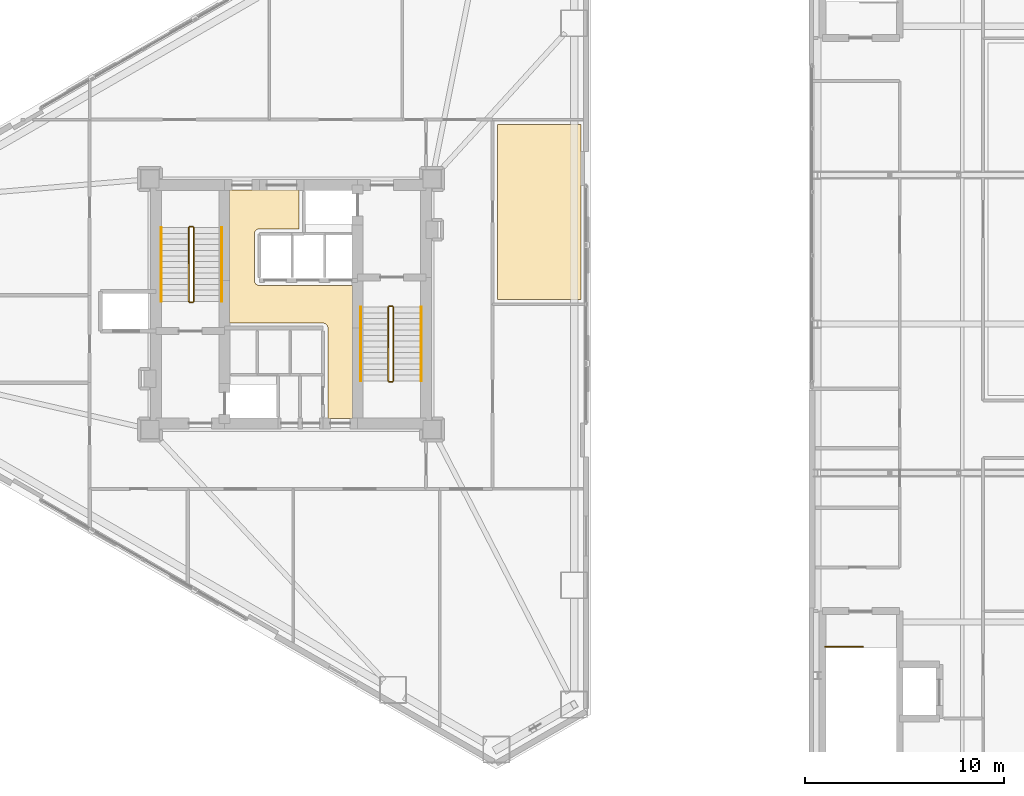
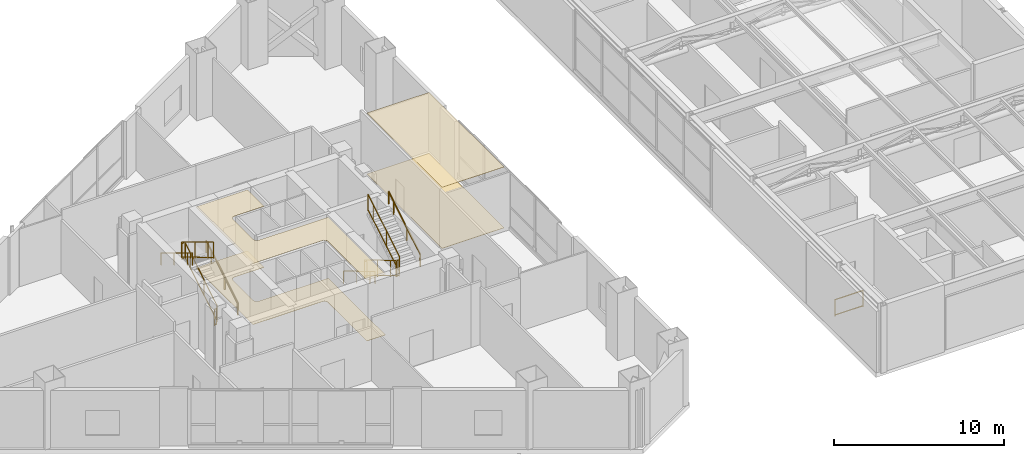
# One storey, part 26 of 27: 13 railings, 4 coverings.
"""IFC4 building model written with IfcOpenShell, lengths in metres."""

import ifcopenshell
import ifcopenshell.guid

model = None  # the IFC model being written
_history = None  # IfcOwnerHistory: only IFC2X3 demands one
_inside = {}  # id of a spatial element -> (the spatial element, [elements in it])
_under = {}  # id of a project, library or spatial element -> (it, [spatial elements below it])
_declared = {}  # id of a project -> (the project, [libraries it declares])
_typed = {}  # id of a type object -> (the type object, [elements of that type])
_made_of = {}  # id of a material, layer set ... -> (it, [elements and type objects made of it])


def new_model(schema):
    """Start an empty IFC model of exactly this schema.

    Asked for "IFC4X3", IfcOpenShell would pick the latest addendum, in which some entities
    have other attributes; the version numbers below select the first issue.
    IFC2X3 requires an IfcOwnerHistory on every rooted entity: one is made here for all.
    """
    global model, _history
    if schema == "IFC4X3":
        model = ifcopenshell.file(schema_version=(4, 3, 0, 0))
    else:
        model = ifcopenshell.file(schema=schema)
    _inside.clear()
    _under.clear()
    _declared.clear()
    _typed.clear()
    _made_of.clear()
    _history = None
    if model.schema == "IFC2X3":
        org = make("IfcOrganization", Name="unknown")
        user = make(
            "IfcPersonAndOrganization",
            ThePerson=make("IfcPerson", FamilyName="unknown"),
            TheOrganization=org,
        )
        app = make(
            "IfcApplication",
            ApplicationDeveloper=org,
            Version="unknown",
            ApplicationFullName="unknown",
            ApplicationIdentifier="unknown",
        )
        _history = make(
            "IfcOwnerHistory",
            OwningUser=user,
            OwningApplication=app,
            ChangeAction="ADDED",
            CreationDate=0,
        )
    return model


def make(cls, **values):
    """One entity of the class cls with the attributes given. An attribute that is None is left unset."""
    return model.create_entity(
        cls, **{name: value for name, value in values.items() if value is not None}
    )


def rooted(cls, **values):
    """An entity with a GlobalId (a new one), such as an element, a storey or a relation."""
    return make(cls, GlobalId=ifcopenshell.guid.new(), OwnerHistory=_history, **values)


def si_unit(unit_type, name, prefix=None):
    """IfcSIUnit, for example si_unit("LENGTHUNIT", "METRE", prefix="MILLI")."""
    return make("IfcSIUnit", UnitType=unit_type, Prefix=prefix, Name=name)


def assignment(units):
    """IfcUnitAssignment: the units of a project."""
    return None if units is None else make("IfcUnitAssignment", Units=units)


def point(xyz):
    """IfcCartesianPoint."""
    return None if xyz is None else make("IfcCartesianPoint", Coordinates=xyz)


def direction(xyz):
    """IfcDirection."""
    return None if xyz is None else make("IfcDirection", DirectionRatios=xyz)


def frame(location, z_axis=None, x_axis=None):
    """IfcAxis2Placement3D, a coordinate frame: its origin and axes. An axis left out is left unset."""
    return make(
        "IfcAxis2Placement3D",
        Location=point(location),
        Axis=direction(z_axis),
        RefDirection=direction(x_axis),
    )


def frame_2d(location, x_axis=None):
    """IfcAxis2Placement2D, a coordinate frame in the plane: its origin and x axis."""
    return make(
        "IfcAxis2Placement2D", Location=point(location), RefDirection=direction(x_axis)
    )


def origin():
    """The frame at (0, 0, 0) with its axes left unset."""
    return frame((0.0, 0.0, 0.0))


def origin_2d():
    """The frame at (0, 0) in the plane with its x axis left unset."""
    return frame_2d((0.0, 0.0))


def place(relative_to, where):
    """IfcLocalPlacement: puts the frame where relative to a parent placement (None: the world)."""
    return make(
        "IfcLocalPlacement", PlacementRelTo=relative_to, RelativePlacement=where
    )


def context(
    kind, dimensions, precision=None, world=None, true_north=None, identifier=None
):
    """IfcGeometricRepresentationContext, for example the 3D "Model" context."""
    return make(
        "IfcGeometricRepresentationContext",
        ContextIdentifier=identifier,
        ContextType=kind,
        CoordinateSpaceDimension=dimensions,
        Precision=precision,
        WorldCoordinateSystem=world,
        TrueNorth=true_north,
    )


def subcontext(parent, identifier, kind, view, scale=None):
    """IfcGeometricRepresentationSubContext, for example "Body" below "Model"."""
    return make(
        "IfcGeometricRepresentationSubContext",
        ContextIdentifier=identifier,
        ContextType=kind,
        ParentContext=parent,
        TargetScale=scale,
        TargetView=view,
    )


def project(units=None, contexts=None):
    """IfcProject with its units and contexts."""
    return rooted(
        "IfcProject",
        Name="project",
        RepresentationContexts=contexts,
        UnitsInContext=assignment(units),
    )


def spatial(cls, under=None, at=None, **own):
    """A site, building, storey or space (cls), placed at a placement, below another one or the project."""
    s = rooted(cls, ObjectPlacement=at, **own)
    if under is not None:
        _under.setdefault(under.id(), (under, []))[1].append(s)
    return s


def polyline(points):
    """IfcPolyline through the points."""
    return make("IfcPolyline", Points=[point(p) for p in points])


def profile(cls, at=None, kind="AREA", **sizes):
    """A parametric profile (cls). Its sizes go by their IFC names, for example OverallWidth=200.0."""
    return make(cls, ProfileType=kind, Position=at, **sizes)


def rectangle(**sizes):
    """IfcRectangleProfileDef."""
    return profile("IfcRectangleProfileDef", **sizes)


def outline(outer, holes=None, kind="AREA"):
    """IfcArbitraryClosedProfileDef: a profile drawn as a closed curve; with holes, ...WithVoids."""
    if holes is None:
        return make("IfcArbitraryClosedProfileDef", ProfileType=kind, OuterCurve=outer)
    return make(
        "IfcArbitraryProfileDefWithVoids",
        ProfileType=kind,
        OuterCurve=outer,
        InnerCurves=holes,
    )


def extrude(swept, where, along, depth):
    """IfcExtrudedAreaSolid: the profile swept, set in the frame where, extruded along a direction by depth."""
    return make(
        "IfcExtrudedAreaSolid",
        SweptArea=swept,
        Position=where,
        ExtrudedDirection=direction(along),
        Depth=depth,
    )


def shape(context_of_items, identifier, shape_type, items):
    """IfcShapeRepresentation: the items that make up one representation, for example the "Body"."""
    return make(
        "IfcShapeRepresentation",
        ContextOfItems=context_of_items,
        RepresentationIdentifier=identifier,
        RepresentationType=shape_type,
        Items=items,
    )


def material(Name=None, Category=None):
    """IfcMaterial."""
    return make("IfcMaterial", Name=Name, Category=Category)


def layer(
    of_material, thickness, ventilated=None, Name=None, Category=None, Priority=None
):
    """IfcMaterialLayer: one layer of a wall or slab, of a material (None: an air gap)."""
    return make(
        "IfcMaterialLayer",
        Material=of_material,
        LayerThickness=thickness,
        IsVentilated=ventilated,
        Name=Name,
        Category=Category,
        Priority=Priority,
    )


def layer_set(layers, Name=None):
    """IfcMaterialLayerSet."""
    return make("IfcMaterialLayerSet", MaterialLayers=layers, LayerSetName=Name)


def made_of(thing, what):
    """Note that an element or type object is made of a material, layer set ...; save() writes the relation."""
    if what is not None:
        _made_of.setdefault(what.id(), (what, []))[1].append(thing)
    return thing


def type_object(cls, material=None, **own):
    """A type object (cls), such as IfcWallType, which elements share."""
    return made_of(rooted(cls, **own), material)


def element(
    cls,
    number,
    at=None,
    inside=None,
    cuts=None,
    type_object=None,
    material=None,
    context=None,
    identifier="Body",
    shape_type=None,
    held_by="IfcProductDefinitionShape",
    body=None,
    shapes=None,
    **own,
):
    """One element of the class cls, such as IfcWall. Its Tag is "e" and its number.

    at: its placement. inside: the storey or other place that contains it. cuts: it is an
    opening in that element (IfcRelVoidsElement). A single representation is given by context,
    identifier, shape_type and body (its items); several are given by shapes. held_by: the class
    of the entity that holds the representations. save() writes the other relations.
    """
    e = rooted(cls, Tag="e%d" % number, ObjectPlacement=at, **own)
    if body is not None:
        shapes = [shape(context, identifier, shape_type, body)]
    if shapes is not None:
        e.Representation = make(held_by, Representations=shapes)
    if inside is not None:
        _inside.setdefault(inside.id(), (inside, []))[1].append(e)
    if cuts is not None:
        rooted(
            "IfcRelVoidsElement", RelatingBuildingElement=cuts, RelatedOpeningElement=e
        )
    if type_object is not None:
        _typed.setdefault(type_object.id(), (type_object, []))[1].append(e)
    return made_of(e, material)


def aggregate(whole, parts):
    """IfcRelAggregates: a whole, such as a stair, and the parts it consists of."""
    return rooted("IfcRelAggregates", RelatingObject=whole, RelatedObjects=parts)


def save(model, path):
    """Write the relations noted so far, then the file.

    IfcRelAggregates (storeys below a building ...), IfcRelContainedInSpatialStructure (elements
    in a storey), IfcRelDefinesByType, IfcRelAssociatesMaterial and IfcRelDeclares: one each for
    every whole, place, type object, material and project.
    """
    for whole, parts in _under.values():
        aggregate(whole, parts)
    for where, things in _inside.values():
        rooted(
            "IfcRelContainedInSpatialStructure",
            RelatedElements=things,
            RelatingStructure=where,
        )
    for kind, things in _typed.values():
        rooted("IfcRelDefinesByType", RelatedObjects=things, RelatingType=kind)
    for what, things in _made_of.values():
        rooted("IfcRelAssociatesMaterial", RelatedObjects=things, RelatingMaterial=what)
    for by, libraries in _declared.values():
        rooted("IfcRelDeclares", RelatingContext=by, RelatedDefinitions=libraries)
    model.write(path)


model = new_model("IFC4")

# Units and contexts
model_context = context("Model", 3, precision=1e-05, world=origin(), true_north=direction((0.0, 1.0)))
body_context = subcontext(model_context, "Body", "Model", "MODEL_VIEW")
ifc_project = project(units=[si_unit("LENGTHUNIT", "METRE"), si_unit("AREAUNIT", "SQUARE_METRE"), si_unit("VOLUMEUNIT", "CUBIC_METRE"), si_unit("PLANEANGLEUNIT", "RADIAN"), si_unit("MASSUNIT", "GRAM", prefix="KILO")], contexts=[model_context])

# Site, building, storey
site_placement = place(None, origin())
site = spatial("IfcSite", under=ifc_project, at=site_placement, CompositionType="ELEMENT")
building_placement = place(site_placement, origin())
building = spatial("IfcBuilding", under=site, at=building_placement, Name="Mersakhor Tower and Convention Hall", CompositionType="ELEMENT")
storey_placement = place(building_placement, frame((0.0, 0.0, 14.39990234375)))
storey = spatial("IfcBuildingStorey", under=building, at=storey_placement, Name="L03", CompositionType="ELEMENT", Elevation=14.39990234375)

# Coverings
ifc_material_1 = material(Name="Acoustic mineral-fibre suspended ceiling", Category="other")
ifc_layer_1 = layer(ifc_material_1, 0.02490234375)
ifc_layer_set_1 = layer_set([ifc_layer_1], Name="Acoustic mineral-fibre suspended ceiling")
covering_type_1 = type_object("IfcCoveringType", Name="COV-CLG-25", PredefinedType="CEILING", material=ifc_layer_set_1)
covering_1_placement = place(storey_placement, frame((0.0, 0.0, 4.360107421875)))
element("IfcCovering", 1, at=covering_1_placement, inside=storey, type_object=covering_type_1, Name="L03 Central Passenger Lift Lobby Acoustic Suspended Ceiling", PredefinedType="CEILING", context=body_context, shape_type="SweptSolid", body=[
    extrude(outline(polyline([(30.85009765625, 21.0), (30.85009765625, 25.550048828125), (30.848876953125, 25.574462890625), (30.84521484375, 25.598876953125), (30.839111328125, 25.62255859375), (30.8310546875, 25.645751953125), (30.820556640625, 25.667724609375), (30.807861328125, 25.68896484375), (30.793212890625, 25.70849609375), (30.77685546875, 25.726806640625), (30.758544921875, 25.743408203125), (30.739013671875, 25.7578125), (30.7177734375, 25.7705078125), (30.69580078125, 25.781005859375), (30.672607421875, 25.789306640625), (30.648681640625, 25.795166015625), (30.62451171875, 25.798828125), (30.60009765625, 25.800048828125), (25.89990234375, 25.800048828125), (25.89990234375, 32.5), (29.39990234375, 32.5), (29.39990234375, 30.550048828125), (27.39990234375, 30.550048828125), (27.37548828125, 30.548828125), (27.351318359375, 30.545166015625), (27.327392578125, 30.539306640625), (27.30419921875, 30.531005859375), (27.2822265625, 30.5205078125), (27.260986328125, 30.5078125), (27.241455078125, 30.493408203125), (27.22314453125, 30.476806640625), (27.206787109375, 30.45849609375), (27.192138671875, 30.43896484375), (27.179443359375, 30.417724609375), (27.1689453125, 30.395751953125), (27.160888671875, 30.37255859375), (27.15478515625, 30.348876953125), (27.151123046875, 30.324462890625), (27.14990234375, 30.300048828125), (27.14990234375, 27.949951171875), (27.151123046875, 27.925537109375), (27.15478515625, 27.901123046875), (27.160888671875, 27.87744140625), (27.1689453125, 27.854248046875), (27.179443359375, 27.832275390625), (27.192138671875, 27.81103515625), (27.206787109375, 27.79150390625), (27.22314453125, 27.773193359375), (27.241455078125, 27.756591796875), (27.260986328125, 27.7421875), (27.2822265625, 27.7294921875), (27.30419921875, 27.718994140625), (27.327392578125, 27.710693359375), (27.351318359375, 27.704833984375), (27.37548828125, 27.701171875), (27.39990234375, 27.699951171875), (32.10009765625, 27.699951171875), (32.10009765625, 21.0), (30.85009765625, 21.0)])), origin(), (0.0, 0.0, 1.0), 0.02490234375),
])
covering_2_placement = place(storey_placement, frame((0.0, 0.0, 4.360107421875)))
element("IfcCovering", 2, at=covering_2_placement, inside=storey, type_object=covering_type_1, Name="L03 Patient Waiting Lounge Acoustic Suspended Ceiling", PredefinedType="CEILING", context=body_context, shape_type="SweptSolid", body=[
    extrude(outline(polyline([(39.39990234375, 27.0), (39.39990234375, 35.800048828125), (43.60009765625, 35.800048828125), (43.60009765625, 27.0), (39.39990234375, 27.0)])), origin(), (0.0, 0.0, 1.0), 0.02490234375),
])
ifc_material_2 = material(Name="Polished porcelain tile flooring", Category="other")
ifc_layer_2 = layer(ifc_material_2, 0.02001953125)
ifc_layer_set_2 = layer_set([ifc_layer_2], Name="Polished porcelain tile flooring")
covering_type_2 = type_object("IfcCoveringType", Name="COV-FLR-20", PredefinedType="FLOORING", material=ifc_layer_set_2)
covering_3_placement = place(storey_placement, origin())
element("IfcCovering", 3, at=covering_3_placement, inside=storey, type_object=covering_type_2, Name="L03 Central Passenger Lift Lobby Porcelain Floor Finish", PredefinedType="FLOORING", context=body_context, shape_type="SweptSolid", body=[
    extrude(outline(polyline([(30.85009765625, 21.0), (30.85009765625, 25.550048828125), (30.848876953125, 25.574462890625), (30.84521484375, 25.598876953125), (30.839111328125, 25.62255859375), (30.8310546875, 25.645751953125), (30.820556640625, 25.667724609375), (30.807861328125, 25.68896484375), (30.793212890625, 25.70849609375), (30.77685546875, 25.726806640625), (30.758544921875, 25.743408203125), (30.739013671875, 25.7578125), (30.7177734375, 25.7705078125), (30.69580078125, 25.781005859375), (30.672607421875, 25.789306640625), (30.648681640625, 25.795166015625), (30.62451171875, 25.798828125), (30.60009765625, 25.800048828125), (25.89990234375, 25.800048828125), (25.89990234375, 32.5), (29.39990234375, 32.5), (29.39990234375, 30.550048828125), (27.39990234375, 30.550048828125), (27.37548828125, 30.548828125), (27.351318359375, 30.545166015625), (27.327392578125, 30.539306640625), (27.30419921875, 30.531005859375), (27.2822265625, 30.5205078125), (27.260986328125, 30.5078125), (27.241455078125, 30.493408203125), (27.22314453125, 30.476806640625), (27.206787109375, 30.45849609375), (27.192138671875, 30.43896484375), (27.179443359375, 30.417724609375), (27.1689453125, 30.395751953125), (27.160888671875, 30.37255859375), (27.15478515625, 30.348876953125), (27.151123046875, 30.324462890625), (27.14990234375, 30.300048828125), (27.14990234375, 27.949951171875), (27.151123046875, 27.925537109375), (27.15478515625, 27.901123046875), (27.160888671875, 27.87744140625), (27.1689453125, 27.854248046875), (27.179443359375, 27.832275390625), (27.192138671875, 27.81103515625), (27.206787109375, 27.79150390625), (27.22314453125, 27.773193359375), (27.241455078125, 27.756591796875), (27.260986328125, 27.7421875), (27.2822265625, 27.7294921875), (27.30419921875, 27.718994140625), (27.327392578125, 27.710693359375), (27.351318359375, 27.704833984375), (27.37548828125, 27.701171875), (27.39990234375, 27.699951171875), (32.10009765625, 27.699951171875), (32.10009765625, 21.0), (30.85009765625, 21.0)])), origin(), (0.0, 0.0, 1.0), 0.02001953125),
])
covering_4_placement = place(storey_placement, origin())
element("IfcCovering", 4, at=covering_4_placement, inside=storey, type_object=covering_type_2, Name="L03 Patient Waiting Lounge Porcelain Floor Finish", PredefinedType="FLOORING", context=body_context, shape_type="SweptSolid", body=[
    extrude(outline(polyline([(39.39990234375, 27.0), (39.39990234375, 35.800048828125), (43.60009765625, 35.800048828125), (43.60009765625, 27.0), (39.39990234375, 27.0)])), origin(), (0.0, 0.0, 1.0), 0.02001953125),
])

# Railings
ifc_material_3 = material(Name="Brushed stainless steel handrail", Category="steel")
railing_type_1 = type_object("IfcRailingType", Name="RL-HR-900", PredefinedType="HANDRAIL", material=ifc_material_3)
railing_1_placement = place(storey_placement, frame((25.5, 26.89990234375, 0.171630859375)))
element("IfcRailing", 5, at=railing_1_placement, inside=storey, type_object=railing_type_1, Name="L03 ST-1 stair handrail 1", PredefinedType="HANDRAIL", context=body_context, shape_type="SweptSolid", body=[
    extrude(rectangle(XDim=0.048095703125, YDim=0.048095703125, at=origin_2d()), frame((0.0, 0.0, 0.8759765625), z_axis=(0.0, 0.856934400257, 0.515425487977), x_axis=(-1.0, 0.0, 0.0)), (0.0, 0.0, 1.0), 4.32373046875),
    extrude(rectangle(XDim=0.0419921875, YDim=0.0419921875, at=origin_2d()), origin(), (0.0, 0.0, 1.0), 0.851806640625),
    extrude(rectangle(XDim=0.0419921875, YDim=0.0419921875, at=origin_2d()), frame((0.0, 1.54248046875, 0.927734375)), (0.0, 0.0, 1.0), 0.851806640625),
    extrude(rectangle(XDim=0.0419921875, YDim=0.0419921875, at=origin_2d()), frame((0.0, 3.0849609375, 1.85546875)), (0.0, 0.0, 1.0), 0.851806640625),
    extrude(rectangle(XDim=0.0419921875, YDim=0.0419921875, at=origin_2d()), frame((0.0, 3.705078125, 2.228515625)), (0.0, 0.0, 1.0), 0.851806640625),
])
for number, where, name in (
    (6, (22.449951171875, 30.60498046875, 2.571533203125), "L03 ST-1 stair handrail 2"),
    (7, (32.5, 26.60009765625, 0.171630859375), "L03 ST-2 stair handrail 1"),
):
    element("IfcRailing", number, at=place(storey_placement, frame(where)), inside=storey, type_object=railing_type_1, Name=name, PredefinedType="HANDRAIL", context=body_context, shape_type="SweptSolid", body=[
        extrude(rectangle(XDim=0.048095703125, YDim=0.048095703125, at=origin_2d()), frame((0.0, 0.0, 0.8759765625), z_axis=(0.0, -0.856934400257, 0.515425487977), x_axis=(1.0, 0.0, 0.0)), (0.0, 0.0, 1.0), 4.32373046875),
        extrude(rectangle(XDim=0.0419921875, YDim=0.0419921875, at=origin_2d()), origin(), (0.0, 0.0, 1.0), 0.851806640625),
        extrude(rectangle(XDim=0.0419921875, YDim=0.0419921875, at=origin_2d()), frame((0.0, -1.54248046875, 0.927734375)), (0.0, 0.0, 1.0), 0.851806640625),
        extrude(rectangle(XDim=0.0419921875, YDim=0.0419921875, at=origin_2d()), frame((0.0, -3.0849609375, 1.85546875)), (0.0, 0.0, 1.0), 0.851806640625),
        extrude(rectangle(XDim=0.0419921875, YDim=0.0419921875, at=origin_2d()), frame((0.0, -3.705078125, 2.228515625)), (0.0, 0.0, 1.0), 0.851806640625),
    ])
railing_2_placement = place(storey_placement, frame((35.550048828125, 22.89501953125, 2.571533203125)))
element("IfcRailing", 8, at=railing_2_placement, inside=storey, type_object=railing_type_1, Name="L03 ST-2 stair handrail 2", PredefinedType="HANDRAIL", context=body_context, shape_type="SweptSolid", body=[
    extrude(rectangle(XDim=0.048095703125, YDim=0.048095703125, at=origin_2d()), frame((0.0, 0.0, 0.8759765625), z_axis=(0.0, 0.856934400257, 0.515425487977), x_axis=(-1.0, 0.0, 0.0)), (0.0, 0.0, 1.0), 4.32373046875),
    extrude(rectangle(XDim=0.0419921875, YDim=0.0419921875, at=origin_2d()), origin(), (0.0, 0.0, 1.0), 0.851806640625),
    extrude(rectangle(XDim=0.0419921875, YDim=0.0419921875, at=origin_2d()), frame((0.0, 1.54248046875, 0.927734375)), (0.0, 0.0, 1.0), 0.851806640625),
    extrude(rectangle(XDim=0.0419921875, YDim=0.0419921875, at=origin_2d()), frame((0.0, 3.0849609375, 1.85546875)), (0.0, 0.0, 1.0), 0.851806640625),
    extrude(rectangle(XDim=0.0419921875, YDim=0.0419921875, at=origin_2d()), frame((0.0, 3.705078125, 2.228515625)), (0.0, 0.0, 1.0), 0.851806640625),
])
ifc_material_4 = material(Name="Painted steel stair balustrade S355", Category="steel")
railing_type_2 = type_object("IfcRailingType", Name="RL-STG-1200", PredefinedType="BALUSTRADE", material=ifc_material_4)
railing_3_placement = place(storey_placement, frame((24.10009765625, 26.89990234375, 0.171630859375)))
element("IfcRailing", 9, at=railing_3_placement, inside=storey, type_object=railing_type_2, Name="L03 ST-1 stair guard 1", PredefinedType="BALUSTRADE", context=body_context, shape_type="SweptSolid", body=[
    extrude(rectangle(XDim=0.048095703125, YDim=0.048095703125, at=origin_2d()), frame((0.0, 0.0, 1.17578125), z_axis=(0.0, 0.856934400257, 0.515425487977), x_axis=(-1.0, 0.0, 0.0)), (0.0, 0.0, 1.0), 4.32373046875),
    extrude(rectangle(XDim=0.048095703125, YDim=0.048095703125, at=origin_2d()), frame((0.0, 0.0, 0.080078125), z_axis=(0.0, 0.856934400257, 0.515425487977), x_axis=(-1.0, 0.0, 0.0)), (0.0, 0.0, 1.0), 4.32373046875),
    extrude(rectangle(XDim=0.0419921875, YDim=0.0419921875, at=origin_2d()), origin(), (0.0, 0.0, 1.0), 1.15185546875),
    extrude(rectangle(XDim=0.0419921875, YDim=0.0419921875, at=origin_2d()), frame((0.0, 1.54248046875, 0.927734375)), (0.0, 0.0, 1.0), 1.15185546875),
    extrude(rectangle(XDim=0.0419921875, YDim=0.0419921875, at=origin_2d()), frame((0.0, 3.0849609375, 1.85546875)), (0.0, 0.0, 1.0), 1.15185546875),
    extrude(rectangle(XDim=0.0419921875, YDim=0.0419921875, at=origin_2d()), frame((0.0, 3.705078125, 2.228515625)), (0.0, 0.0, 1.0), 1.15185546875),
])
railing_4_placement = place(storey_placement, frame((24.050048828125, 30.655029296875, 2.400146484375)))
element("IfcRailing", 10, at=railing_4_placement, inside=storey, type_object=railing_type_2, Name="L03 ST-1 stair guard 2", PredefinedType="BALUSTRADE", context=body_context, shape_type="SweptSolid", body=[
    extrude(rectangle(XDim=0.048095703125, YDim=0.048095703125, at=origin_2d()), frame((0.0, 0.0, 1.17578125), z_axis=(-1.0, 0.0, 0.0), x_axis=(0.0, -1.0, 0.0)), (0.0, 0.0, 1.0), 0.150146484375),
    extrude(rectangle(XDim=0.048095703125, YDim=0.048095703125, at=origin_2d()), frame((0.0, 0.0, 0.080078125), z_axis=(-1.0, 0.0, 0.0), x_axis=(0.0, -1.0, 0.0)), (0.0, 0.0, 1.0), 0.150146484375),
    extrude(rectangle(XDim=0.0419921875, YDim=0.0419921875, at=origin_2d()), origin(), (0.0, 0.0, 1.0), 1.15185546875),
    extrude(rectangle(XDim=0.0419921875, YDim=0.0419921875, at=origin_2d()), frame((-0.150146484375, 0.0, 0.0)), (0.0, 0.0, 1.0), 1.15185546875),
])
railing_5_placement = place(storey_placement, frame((23.85009765625, 30.60498046875, 2.571533203125)))
element("IfcRailing", 11, at=railing_5_placement, inside=storey, type_object=railing_type_2, Name="L03 ST-1 stair guard 3", PredefinedType="BALUSTRADE", context=body_context, shape_type="SweptSolid", body=[
    extrude(rectangle(XDim=0.048095703125, YDim=0.048095703125, at=origin_2d()), frame((0.0, 0.0, 1.17578125), z_axis=(0.0, -0.856934400257, 0.515425487977), x_axis=(1.0, 0.0, 0.0)), (0.0, 0.0, 1.0), 4.32373046875),
    extrude(rectangle(XDim=0.048095703125, YDim=0.048095703125, at=origin_2d()), frame((0.0, 0.0, 0.080078125), z_axis=(0.0, -0.856934400257, 0.515425487977), x_axis=(1.0, 0.0, 0.0)), (0.0, 0.0, 1.0), 4.32373046875),
    extrude(rectangle(XDim=0.0419921875, YDim=0.0419921875, at=origin_2d()), origin(), (0.0, 0.0, 1.0), 1.15185546875),
    extrude(rectangle(XDim=0.0419921875, YDim=0.0419921875, at=origin_2d()), frame((0.0, -1.54248046875, 0.927734375)), (0.0, 0.0, 1.0), 1.15185546875),
    extrude(rectangle(XDim=0.0419921875, YDim=0.0419921875, at=origin_2d()), frame((0.0, -3.0849609375, 1.85546875)), (0.0, 0.0, 1.0), 1.15185546875),
    extrude(rectangle(XDim=0.0419921875, YDim=0.0419921875, at=origin_2d()), frame((0.0, -3.705078125, 2.228515625)), (0.0, 0.0, 1.0), 1.15185546875),
])
railing_6_placement = place(storey_placement, frame((24.050048828125, 26.85009765625, 0.0)))
element("IfcRailing", 12, at=railing_6_placement, inside=storey, type_object=railing_type_2, Name="L03 ST-1 stair guard 4", PredefinedType="BALUSTRADE", context=body_context, shape_type="SweptSolid", body=[
    extrude(rectangle(XDim=0.048095703125, YDim=0.048095703125, at=origin_2d()), frame((0.0, 0.0, 1.17578125), z_axis=(-1.0, 0.0, 0.0), x_axis=(0.0, -1.0, 0.0)), (0.0, 0.0, 1.0), 0.150146484375),
    extrude(rectangle(XDim=0.048095703125, YDim=0.048095703125, at=origin_2d()), frame((0.0, 0.0, 0.080078125), z_axis=(-1.0, 0.0, 0.0), x_axis=(0.0, -1.0, 0.0)), (0.0, 0.0, 1.0), 0.150146484375),
    extrude(rectangle(XDim=0.0419921875, YDim=0.0419921875, at=origin_2d()), origin(), (0.0, 0.0, 1.0), 1.15185546875),
    extrude(rectangle(XDim=0.0419921875, YDim=0.0419921875, at=origin_2d()), frame((-0.150146484375, 0.0, 0.0)), (0.0, 0.0, 1.0), 1.15185546875),
])
railing_7_placement = place(storey_placement, frame((33.89990234375, 26.60009765625, 0.171630859375)))
element("IfcRailing", 13, at=railing_7_placement, inside=storey, type_object=railing_type_2, Name="L03 ST-2 stair guard 1", PredefinedType="BALUSTRADE", context=body_context, shape_type="SweptSolid", body=[
    extrude(rectangle(XDim=0.048095703125, YDim=0.048095703125, at=origin_2d()), frame((0.0, 0.0, 1.17578125), z_axis=(0.0, -0.856934400257, 0.515425487977), x_axis=(1.0, 0.0, 0.0)), (0.0, 0.0, 1.0), 4.32373046875),
    extrude(rectangle(XDim=0.048095703125, YDim=0.048095703125, at=origin_2d()), frame((0.0, 0.0, 0.080078125), z_axis=(0.0, -0.856934400257, 0.515425487977), x_axis=(1.0, 0.0, 0.0)), (0.0, 0.0, 1.0), 4.32373046875),
    extrude(rectangle(XDim=0.0419921875, YDim=0.0419921875, at=origin_2d()), origin(), (0.0, 0.0, 1.0), 1.15185546875),
    extrude(rectangle(XDim=0.0419921875, YDim=0.0419921875, at=origin_2d()), frame((0.0, -1.54248046875, 0.927734375)), (0.0, 0.0, 1.0), 1.15185546875),
    extrude(rectangle(XDim=0.0419921875, YDim=0.0419921875, at=origin_2d()), frame((0.0, -3.0849609375, 1.85546875)), (0.0, 0.0, 1.0), 1.15185546875),
    extrude(rectangle(XDim=0.0419921875, YDim=0.0419921875, at=origin_2d()), frame((0.0, -3.705078125, 2.228515625)), (0.0, 0.0, 1.0), 1.15185546875),
])
railing_8_placement = place(storey_placement, frame((33.949951171875, 22.844970703125, 2.400146484375)))
element("IfcRailing", 14, at=railing_8_placement, inside=storey, type_object=railing_type_2, Name="L03 ST-2 stair guard 2", PredefinedType="BALUSTRADE", context=body_context, shape_type="SweptSolid", body=[
    extrude(rectangle(XDim=0.048095703125, YDim=0.048095703125, at=origin_2d()), frame((0.0, 0.0, 1.17578125), z_axis=(1.0, 0.0, 0.0), x_axis=(0.0, 1.0, 0.0)), (0.0, 0.0, 1.0), 0.150146484375),
    extrude(rectangle(XDim=0.048095703125, YDim=0.048095703125, at=origin_2d()), frame((0.0, 0.0, 0.080078125), z_axis=(1.0, 0.0, 0.0), x_axis=(0.0, 1.0, 0.0)), (0.0, 0.0, 1.0), 0.150146484375),
    extrude(rectangle(XDim=0.0419921875, YDim=0.0419921875, at=origin_2d()), origin(), (0.0, 0.0, 1.0), 1.15185546875),
    extrude(rectangle(XDim=0.0419921875, YDim=0.0419921875, at=origin_2d()), frame((0.150146484375, 0.0, 0.0)), (0.0, 0.0, 1.0), 1.15185546875),
])
railing_9_placement = place(storey_placement, frame((34.14990234375, 22.89501953125, 2.571533203125)))
element("IfcRailing", 15, at=railing_9_placement, inside=storey, type_object=railing_type_2, Name="L03 ST-2 stair guard 3", PredefinedType="BALUSTRADE", context=body_context, shape_type="SweptSolid", body=[
    extrude(rectangle(XDim=0.048095703125, YDim=0.048095703125, at=origin_2d()), frame((0.0, 0.0, 1.17578125), z_axis=(0.0, 0.856934400257, 0.515425487977), x_axis=(-1.0, 0.0, 0.0)), (0.0, 0.0, 1.0), 4.32373046875),
    extrude(rectangle(XDim=0.048095703125, YDim=0.048095703125, at=origin_2d()), frame((0.0, 0.0, 0.080078125), z_axis=(0.0, 0.856934400257, 0.515425487977), x_axis=(-1.0, 0.0, 0.0)), (0.0, 0.0, 1.0), 4.32373046875),
    extrude(rectangle(XDim=0.0419921875, YDim=0.0419921875, at=origin_2d()), origin(), (0.0, 0.0, 1.0), 1.15185546875),
    extrude(rectangle(XDim=0.0419921875, YDim=0.0419921875, at=origin_2d()), frame((0.0, 1.54248046875, 0.927734375)), (0.0, 0.0, 1.0), 1.15185546875),
    extrude(rectangle(XDim=0.0419921875, YDim=0.0419921875, at=origin_2d()), frame((0.0, 3.0849609375, 1.85546875)), (0.0, 0.0, 1.0), 1.15185546875),
    extrude(rectangle(XDim=0.0419921875, YDim=0.0419921875, at=origin_2d()), frame((0.0, 3.705078125, 2.228515625)), (0.0, 0.0, 1.0), 1.15185546875),
])
railing_10_placement = place(storey_placement, frame((33.949951171875, 26.64990234375, 0.0)))
element("IfcRailing", 16, at=railing_10_placement, inside=storey, type_object=railing_type_2, Name="L03 ST-2 stair guard 4", PredefinedType="BALUSTRADE", context=body_context, shape_type="SweptSolid", body=[
    extrude(rectangle(XDim=0.048095703125, YDim=0.048095703125, at=origin_2d()), frame((0.0, 0.0, 1.17578125), z_axis=(1.0, 0.0, 0.0), x_axis=(0.0, 1.0, 0.0)), (0.0, 0.0, 1.0), 0.150146484375),
    extrude(rectangle(XDim=0.048095703125, YDim=0.048095703125, at=origin_2d()), frame((0.0, 0.0, 0.080078125), z_axis=(1.0, 0.0, 0.0), x_axis=(0.0, 1.0, 0.0)), (0.0, 0.0, 1.0), 0.150146484375),
    extrude(rectangle(XDim=0.0419921875, YDim=0.0419921875, at=origin_2d()), origin(), (0.0, 0.0, 1.0), 1.15185546875),
    extrude(rectangle(XDim=0.0419921875, YDim=0.0419921875, at=origin_2d()), frame((0.150146484375, 0.0, 0.0)), (0.0, 0.0, 1.0), 1.15185546875),
])
railing_11_placement = place(storey_placement, frame((55.89990234375, 9.5, 0.0)))
element("IfcRailing", 17, at=railing_11_placement, inside=storey, type_object=railing_type_2, Name="L03 CH-ST1 top well guard 1", PredefinedType="BALUSTRADE", context=body_context, shape_type="SweptSolid", body=[
    extrude(rectangle(XDim=0.048095703125, YDim=0.048095703125, at=origin_2d()), frame((0.0, 0.0, 1.17578125), z_axis=(1.0, 0.0, 0.0), x_axis=(0.0, 1.0, 0.0)), (0.0, 0.0, 1.0), 1.900146484375),
    extrude(rectangle(XDim=0.048095703125, YDim=0.048095703125, at=origin_2d()), frame((0.0, 0.0, 0.080078125), z_axis=(1.0, 0.0, 0.0), x_axis=(0.0, 1.0, 0.0)), (0.0, 0.0, 1.0), 1.900146484375),
    extrude(rectangle(XDim=0.0419921875, YDim=0.0419921875, at=origin_2d()), origin(), (0.0, 0.0, 1.0), 1.15185546875),
    extrude(rectangle(XDim=0.0419921875, YDim=0.0419921875, at=origin_2d()), frame((1.900146484375, 0.0, 0.0)), (0.0, 0.0, 1.0), 1.15185546875),
])

save(model, "model.ifc")
